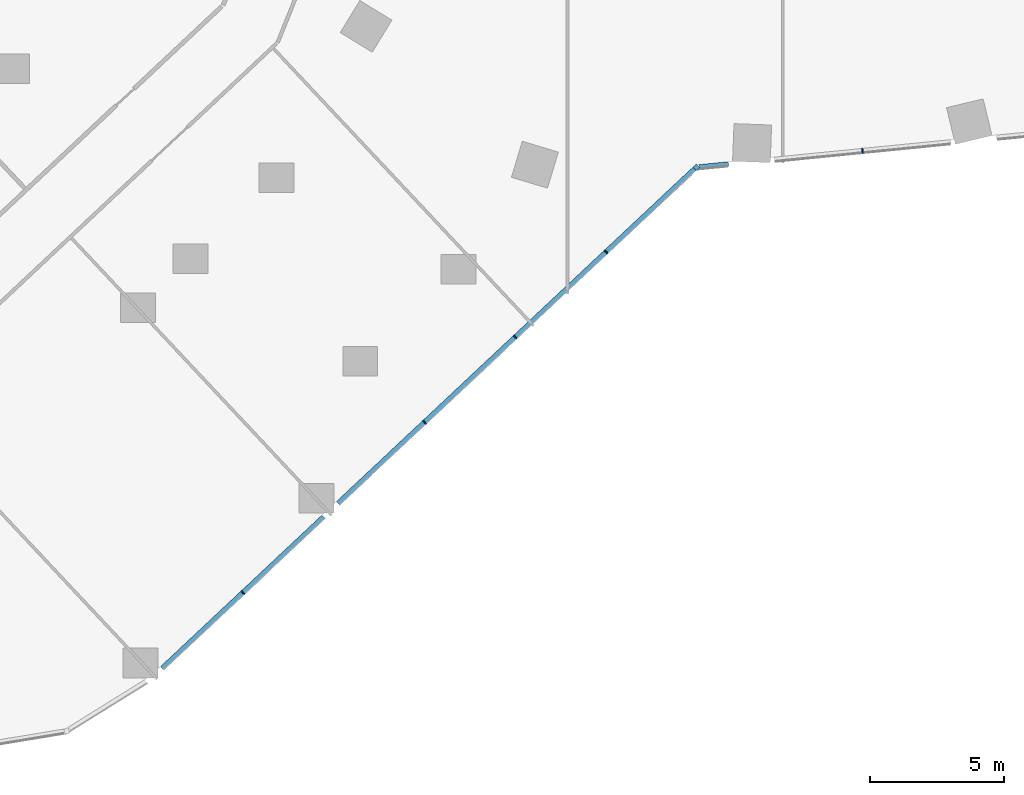
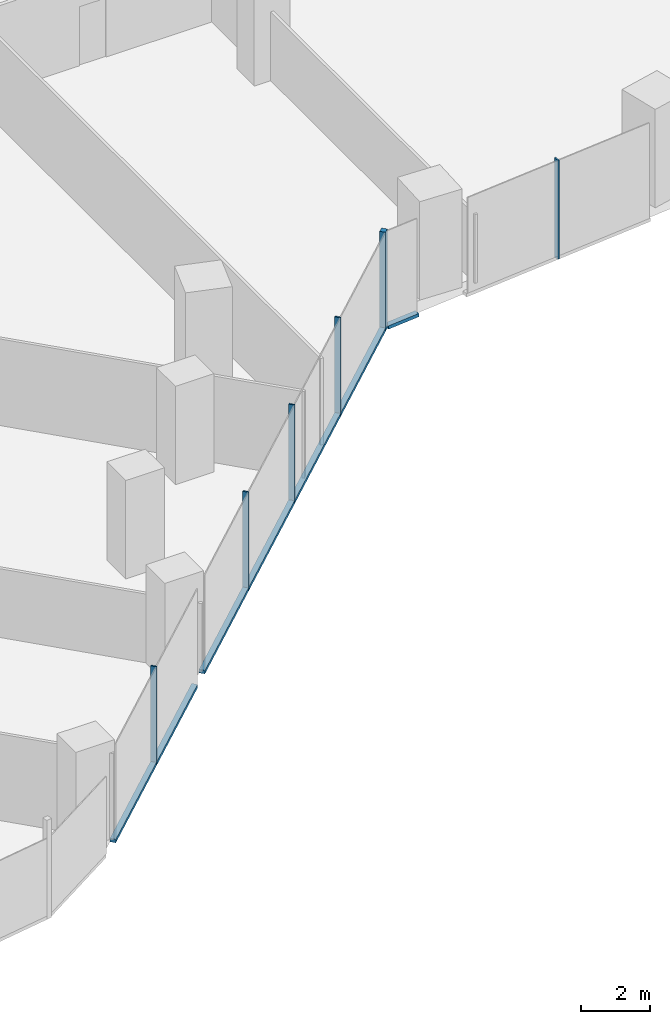
# One storey, part 4 of 33: 9 members, 2 elements without a shape of their own.
"""IFC4 building model written with IfcOpenShell, lengths in metres."""

from ifc_helpers import new_model, si_unit, direction, frame, origin, origin_2d, place, context, subcontext, project, spatial, rectangle, extrude, material, material_profile, profile_set, type_object, element, aggregate, save


model = new_model("IFC4")

# Units and contexts
model_context = context("Model", 3, precision=1e-05, world=origin(), true_north=direction((0.0, 1.0)))
body_context = subcontext(model_context, "Body", "Model", "MODEL_VIEW")
ifc_project = project(units=[si_unit("LENGTHUNIT", "METRE"), si_unit("AREAUNIT", "SQUARE_METRE"), si_unit("VOLUMEUNIT", "CUBIC_METRE"), si_unit("PLANEANGLEUNIT", "RADIAN"), si_unit("MASSUNIT", "GRAM", prefix="KILO")], contexts=[model_context])

# Site, building, storey
site_placement = place(None, origin())
site = spatial("IfcSite", under=ifc_project, at=site_placement, CompositionType="ELEMENT")
building_placement = place(site_placement, origin())
building = spatial("IfcBuilding", under=site, at=building_placement, Name="Orlundy Tower", CompositionType="ELEMENT")
storey_placement = place(building_placement, frame((0.0, 0.0, 51.300048828125)))
storey = spatial("IfcBuildingStorey", under=building, at=storey_placement, Name="L11", CompositionType="ELEMENT", Elevation=51.300048828125)

# Curtain wall, member
ifc_material_1 = material(Name="Aluminium bronze anodised", Category="aluminium")
curtain_wall_type = type_object("IfcCurtainWallType", Name="CW1 wall", PredefinedType="NOTDEFINED", material=ifc_material_1)
curtain_wall_1_placement = place(storey_placement, origin())
curtain_wall_1 = element("IfcCurtainWall", 1, at=curtain_wall_1_placement, inside=storey, type_object=curtain_wall_type, Name="CW1 run 018", PredefinedType="NOTDEFINED")
ifc_material_2 = material(Name="Aluminium bronze anodised", Category="aluminium")
ifc_material_profile_1 = material_profile(ifc_material_2, rectangle(XDim=0.179931640625, YDim=0.179931640625, at=origin_2d()), Name="CW1 corner post 180x180")
ifc_profile_set_1 = profile_set([ifc_material_profile_1], Name="Aluminium bronze anodised")
member_type_1 = type_object("IfcMemberType", Name="CW1 corner post 180x180", PredefinedType="MULLION", material=ifc_profile_set_1)
member_1_placement = place(storey_placement, frame((-3.210693359375, -30.556640625, -0.420166015625), z_axis=(0.0, 0.0, 1.0), x_axis=(0.684124281784, -0.729365455086, 0.0)))
member_1 = element("IfcMember", 2, at=member_1_placement, type_object=member_type_1, Name="CW1 mullion 51", PredefinedType="MULLION", context=body_context, shape_type="SweptSolid", body=[
    extrude(rectangle(XDim=0.179931640625, YDim=0.179931640625, at=origin_2d()), origin(), (0.0, 0.0, 1.0), 3.52001953125),
])

curtain_wall_2_placement = place(storey_placement, origin())
curtain_wall_2 = element("IfcCurtainWall", 3, at=curtain_wall_2_placement, inside=storey, type_object=curtain_wall_type, Name="CW1 run 017", PredefinedType="NOTDEFINED")
ifc_material_3 = material(Name="Aluminium bronze anodised", Category="aluminium")
ifc_material_profile_2 = material_profile(ifc_material_3, rectangle(XDim=0.179931640625, YDim=0.050048828125, at=origin_2d()), Name="CW1 mullion 50x180")
ifc_profile_set_2 = profile_set([ifc_material_profile_2], Name="Aluminium bronze anodised")
member_type_2 = type_object("IfcMemberType", Name="CW1 mullion 50x180", PredefinedType="MULLION", material=ifc_profile_set_2)
member_2_placement = place(storey_placement, frame((2.971435546875, -29.943115234375, -0.420166015625), z_axis=(0.0, 0.0, 1.0), x_axis=(0.098750373279, -0.995112236774, 0.0)))
member_2 = element("IfcMember", 4, at=member_2_placement, type_object=member_type_2, Name="CW1 mullion 50", PredefinedType="MULLION", context=body_context, shape_type="SweptSolid", body=[
    extrude(rectangle(XDim=0.179931640625, YDim=0.050048828125, at=origin_2d()), origin(), (0.0, 0.0, 1.0), 3.52001953125),
])

# Member
member_3_placement = place(storey_placement, frame((-6.56591796875, -33.70361328125, -0.420166015625), z_axis=(0.0, 0.0, 1.0), x_axis=(0.684124281784, -0.729365455086, 0.0)))
member_3 = element("IfcMember", 5, at=member_3_placement, type_object=member_type_2, Name="CW1 mullion 52", PredefinedType="MULLION", context=body_context, shape_type="SweptSolid", body=[
    extrude(rectangle(XDim=0.179931640625, YDim=0.050048828125, at=origin_2d()), origin(), (0.0, 0.0, 1.0), 3.52001953125),
])

member_4_placement = place(storey_placement, frame((-9.943359375, -36.87158203125, -0.420166015625), z_axis=(0.0, 0.0, 1.0), x_axis=(0.684124281784, -0.729365455086, 0.0)))
member_4 = element("IfcMember", 6, at=member_4_placement, type_object=member_type_2, Name="CW1 mullion 53", PredefinedType="MULLION", context=body_context, shape_type="SweptSolid", body=[
    extrude(rectangle(XDim=0.179931640625, YDim=0.050048828125, at=origin_2d()), origin(), (0.0, 0.0, 1.0), 3.52001953125),
])

member_5_placement = place(storey_placement, frame((-13.321044921875, -40.03955078125, -0.420166015625), z_axis=(0.0, 0.0, 1.0), x_axis=(0.684124281784, -0.729365455086, 0.0)))
member_5 = element("IfcMember", 7, at=member_5_placement, type_object=member_type_2, Name="CW1 mullion 54", PredefinedType="MULLION", context=body_context, shape_type="SweptSolid", body=[
    extrude(rectangle(XDim=0.179931640625, YDim=0.050048828125, at=origin_2d()), origin(), (0.0, 0.0, 1.0), 3.52001953125),
])

member_6_placement = place(storey_placement, frame((-20.075927734375, -46.375732421875, -0.420166015625), z_axis=(0.0, 0.0, 1.0), x_axis=(0.684124281784, -0.729365455086, 0.0)))
member_6 = element("IfcMember", 8, at=member_6_placement, type_object=member_type_2, Name="CW1 mullion 56", PredefinedType="MULLION", context=body_context, shape_type="SweptSolid", body=[
    extrude(rectangle(XDim=0.179931640625, YDim=0.050048828125, at=origin_2d()), origin(), (0.0, 0.0, 1.0), 3.52001953125),
])

ifc_material_4 = material(Name="Aluminium bronze anodised", Category="aluminium")
ifc_material_profile_3 = material_profile(ifc_material_4, rectangle(XDim=0.179931640625, YDim=0.1201171875, at=origin_2d()), Name="CW1 transom 180x120")
ifc_profile_set_3 = profile_set([ifc_material_profile_3], Name="Aluminium bronze anodised")
member_type_3 = type_object("IfcMemberType", Name="CW1 transom 180x120", PredefinedType="USERDEFINED", material=ifc_profile_set_3)
member_7_placement = place(storey_placement, frame((-2.0166015625, -30.43798828125, -0.360107421875), z_axis=(-0.99510149276, -0.098858581353, 0.0), x_axis=(0.098858581353, -0.99510149276, 0.0)))
member_7 = element("IfcMember", 9, at=member_7_placement, type_object=member_type_3, Name="CW1 transom", ObjectType="TRANSOM", PredefinedType="USERDEFINED", context=body_context, shape_type="SweptSolid", body=[
    extrude(rectangle(XDim=0.179931640625, YDim=0.1201171875, at=origin_2d()), origin(), (0.0, 0.0, 1.0), 1.086669921875),
])

aggregate(curtain_wall_2, [member_2, member_7])

member_8_placement = place(storey_placement, frame((-3.2763671875, -30.6181640625, -0.360107421875), z_axis=(-0.729371353005, -0.684117993781, 0.0), x_axis=(0.684117993781, -0.729371353005, 0.0)))
member_8 = element("IfcMember", 10, at=member_8_placement, type_object=member_type_3, Name="CW1 transom", ObjectType="TRANSOM", PredefinedType="USERDEFINED", context=body_context, shape_type="SweptSolid", body=[
    extrude(rectangle(XDim=0.179931640625, YDim=0.1201171875, at=origin_2d()), origin(), (0.0, 0.0, 1.0), 18.18115234375),
])

member_9_placement = place(storey_placement, frame((-17.073974609375, -43.56005859375, -0.360107421875), z_axis=(-0.729363270491, -0.68412661084, 0.0), x_axis=(0.68412661084, -0.729363270491, 0.0)))
member_9 = element("IfcMember", 11, at=member_9_placement, type_object=member_type_3, Name="CW1 transom", ObjectType="TRANSOM", PredefinedType="USERDEFINED", context=body_context, shape_type="SweptSolid", body=[
    extrude(rectangle(XDim=0.179931640625, YDim=0.1201171875, at=origin_2d()), origin(), (0.0, 0.0, 1.0), 8.23046875),
])

aggregate(curtain_wall_1, [member_1, member_3, member_4, member_5, member_6, member_8, member_9])

save(model, "model.ifc")
